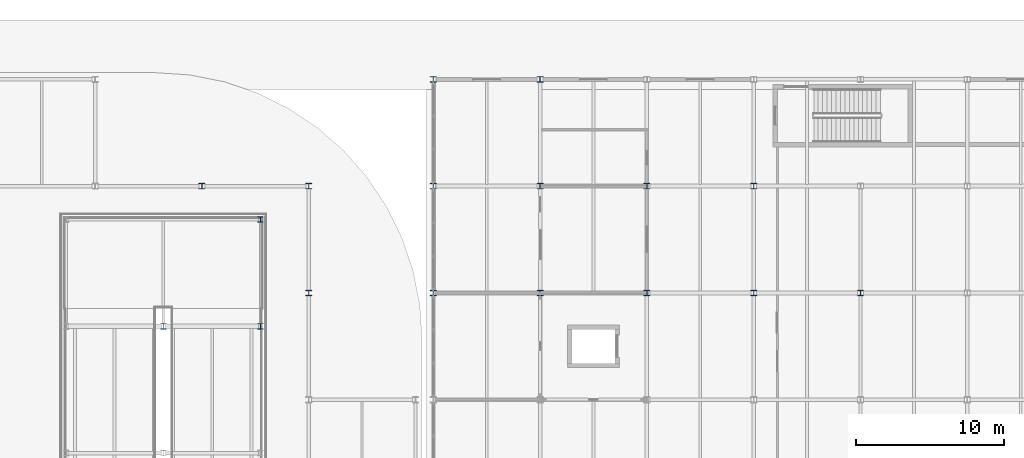
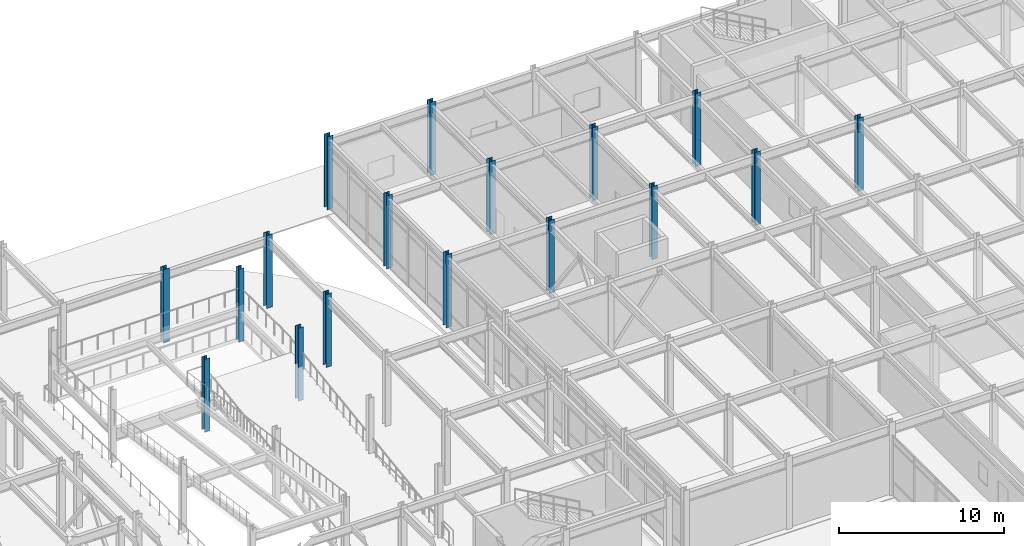
# One storey, part 17 of 104: 17 columns.
"""IFC4 building model written with IfcOpenShell, lengths in metres."""

from ifc_helpers import new_model, si_unit, direction, frame, origin, origin_2d, place, context, subcontext, project, spatial, i_section, extrude, material, material_profile, profile_set, type_object, element, save


model = new_model("IFC4")

# Units and contexts
model_context = context("Model", 3, precision=1e-05, world=origin(), true_north=direction((0.0, 1.0)))
body_context = subcontext(model_context, "Body", "Model", "MODEL_VIEW")
ifc_project = project(units=[si_unit("LENGTHUNIT", "METRE"), si_unit("AREAUNIT", "SQUARE_METRE"), si_unit("VOLUMEUNIT", "CUBIC_METRE"), si_unit("PLANEANGLEUNIT", "RADIAN"), si_unit("MASSUNIT", "GRAM", prefix="KILO")], contexts=[model_context])

# Site, building, storey
site_placement = place(None, origin())
site = spatial("IfcSite", under=ifc_project, at=site_placement, CompositionType="ELEMENT")
building_placement = place(site_placement, origin())
building = spatial("IfcBuilding", under=site, at=building_placement, Name="Vaelcorin Mobility Hub", CompositionType="ELEMENT")
storey_placement = place(building_placement, origin())
storey = spatial("IfcBuildingStorey", under=building, at=storey_placement, Name="L00", CompositionType="ELEMENT", Elevation=0.0)

# Columns
ifc_material = material(Name="Steel ASTM A992 Grade 50", Category="steel")
ifc_material_profile_1 = material_profile(ifc_material, i_section(OverallWidth=0.373046875, OverallDepth=0.373046875, WebThickness=0.016357421875, FlangeThickness=0.026123046875, FilletRadius=0.014892578125, at=origin_2d()), Name="W14X132")
ifc_profile_set_1 = profile_set([ifc_material_profile_1], Name="Steel ASTM A992 Grade 50")
column_type_1 = type_object("IfcColumnType", Name="COL-W14X132", PredefinedType="COLUMN", material=ifc_profile_set_1)
for number, where, z_axis, x_axis, name in (
    (1, (135.39990234375, 103.35009765625, 0.0), (0.0, 0.0, 1.0), (1.0, 0.0, 0.0), "Column V2E-RDRM-MN L00"),
    (2, (141.949951171875, 103.35009765625, 0.0), (0.0, 0.0, 1.0), (1.0, 0.0, 0.0), "Column V2E-RDRM-EN L00"),
    (3, (141.949951171875, 110.550048828125, 0.0), (0.0, 0.0, 1.0), (1.0, 0.0, 0.0), "Column V2E-RDRM-EB L00"),
):
    element("IfcColumn", number, at=place(storey_placement, frame(where, z_axis=z_axis, x_axis=x_axis)), inside=storey, type_object=column_type_1, Name=name, PredefinedType="COLUMN", context=body_context, shape_type="SweptSolid", body=[
        extrude(i_section(OverallWidth=0.373046875, OverallDepth=0.373046875, WebThickness=0.016357421875, FlangeThickness=0.026123046875, FilletRadius=0.014892578125, at=origin_2d()), origin(), (0.0, 0.0, 1.0), 5.39990234375),
    ])
ifc_material_profile_2 = material_profile(ifc_material, i_section(OverallWidth=0.39599609375, OverallDepth=0.381103515625, WebThickness=0.018798828125, FlangeThickness=0.0302734375, FilletRadius=0.014892578125, at=origin_2d()), Name="W14X159")
ifc_profile_set_2 = profile_set([ifc_material_profile_2], Name="Steel ASTM A992 Grade 50")
column_type_2 = type_object("IfcColumnType", Name="COL-W14X159", PredefinedType="COLUMN", material=ifc_profile_set_2)
for number, where, z_axis, x_axis, name in (
    (4, (138.0, 112.800048828125, 0.0), (0.0, 0.0, 1.0), (1.0, 0.0, 0.0), "Column V2E-G3x6 L00"),
    (5, (145.199951171875, 105.60009765625, 0.0), (0.0, 0.0, 1.0), (1.0, 0.0, 0.0), "Column V2E-G4x5 L00"),
    (6, (145.199951171875, 112.800048828125, 0.0), (0.0, 0.0, 1.0), (1.0, 0.0, 0.0), "Column V2E-G4x6 L00"),
    (7, (153.60009765625, 105.60009765625, 0.0), (0.0, 0.0, 1.0), (1.0, 0.0, 0.0), "Column V5-X01Y13 L00"),
    (8, (153.60009765625, 112.800048828125, 0.0), (0.0, 0.0, 1.0), (1.0, 0.0, 0.0), "Column V5-X01Y14 L00"),
    (9, (153.60009765625, 120.0, 0.0), (0.0, 0.0, 1.0), (1.0, 0.0, 0.0), "Column V5-X01Y15 L00"),
    (10, (160.800048828125, 105.60009765625, 0.0), (0.0, 0.0, 1.0), (1.0, 0.0, 0.0), "Column V5-X02Y13 L00"),
    (11, (160.800048828125, 112.800048828125, 0.0), (0.0, 0.0, 1.0), (1.0, 0.0, 0.0), "Column V5-X02Y14 L00"),
    (12, (160.800048828125, 120.0, 0.0), (0.0, 0.0, 1.0), (1.0, 0.0, 0.0), "Column V5-X02Y15 L00"),
    (13, (168.0, 105.60009765625, 0.0), (0.0, 0.0, 1.0), (1.0, 0.0, 0.0), "Column V5-X03Y13 L00"),
    (14, (168.0, 112.800048828125, 0.0), (0.0, 0.0, 1.0), (1.0, 0.0, 0.0), "Column V5-X03Y14 L00"),
    (15, (175.199951171875, 105.60009765625, 0.0), (0.0, 0.0, 1.0), (1.0, 0.0, 0.0), "Column V5-X04Y13 L00"),
    (16, (175.199951171875, 112.800048828125, 0.0), (0.0, 0.0, 1.0), (1.0, 0.0, 0.0), "Column V5-X04Y14 L00"),
    (17, (182.39990234375, 105.60009765625, 0.0), (0.0, 0.0, 1.0), (1.0, 0.0, 0.0), "Column V5-X05Y13 L00"),
):
    element("IfcColumn", number, at=place(storey_placement, frame(where, z_axis=z_axis, x_axis=x_axis)), inside=storey, type_object=column_type_2, Name=name, PredefinedType="COLUMN", context=body_context, shape_type="SweptSolid", body=[
        extrude(i_section(OverallWidth=0.39599609375, OverallDepth=0.381103515625, WebThickness=0.018798828125, FlangeThickness=0.0302734375, FilletRadius=0.014892578125, at=origin_2d()), origin(), (0.0, 0.0, 1.0), 5.39990234375),
    ])

save(model, "model.ifc")
